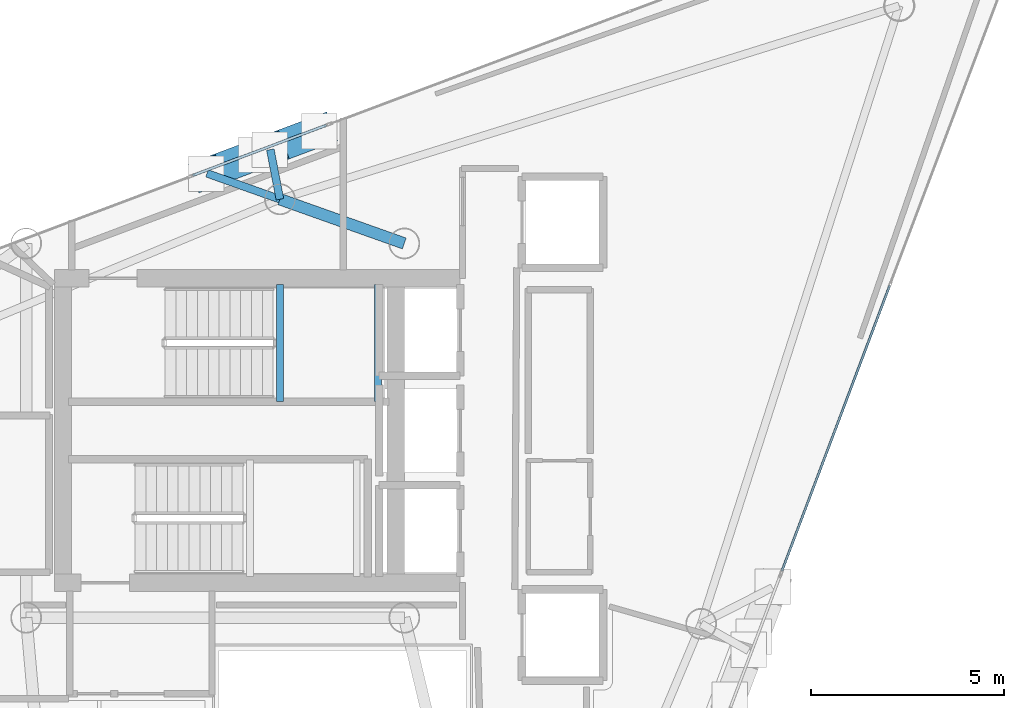
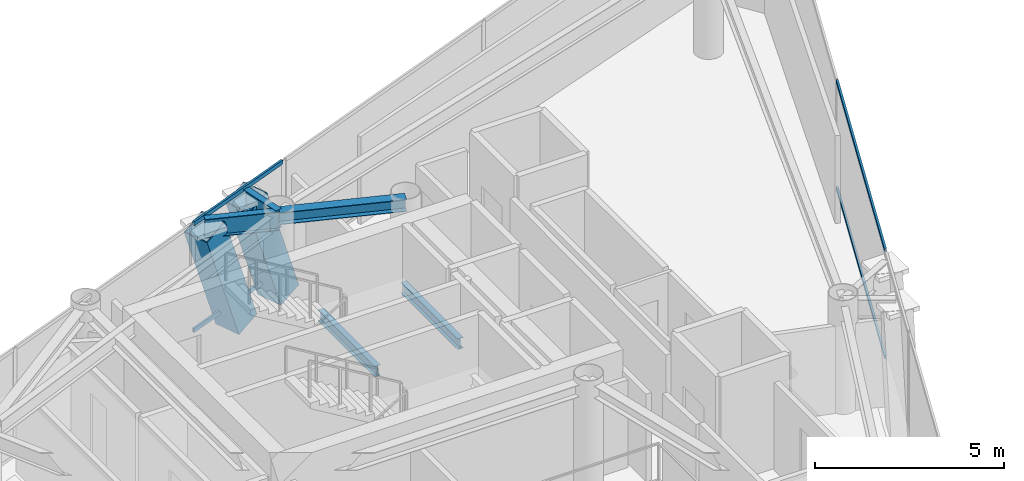
# One storey, part 11 of 19: 6 members, 5 beams, 2 elements without a shape of their own.
"""IFC4 building model written with IfcOpenShell, lengths in metres."""

from ifc_helpers import new_model, si_unit, direction, frame, origin, origin_2d, place, context, subcontext, project, spatial, hollow_rectangle, i_section, extrude, material, layer, layer_set, material_profile, profile_set, type_object, element, aggregate, save


model = new_model("IFC4")

# Units and contexts
model_context = context("Model", 3, precision=1e-05, world=origin(), true_north=direction((0.0, 1.0)))
body_context = subcontext(model_context, "Body", "Model", "MODEL_VIEW")
ifc_project = project(units=[si_unit("LENGTHUNIT", "METRE"), si_unit("AREAUNIT", "SQUARE_METRE"), si_unit("VOLUMEUNIT", "CUBIC_METRE"), si_unit("PLANEANGLEUNIT", "RADIAN"), si_unit("MASSUNIT", "GRAM", prefix="KILO")], contexts=[model_context])

# Site, building, storey
site_placement = place(None, origin())
site = spatial("IfcSite", under=ifc_project, at=site_placement, CompositionType="ELEMENT")
building_placement = place(site_placement, origin())
building = spatial("IfcBuilding", under=site, at=building_placement, Name="Qianvela Tower", CompositionType="ELEMENT")
storey_placement = place(building_placement, frame((0.0, 0.0, 340.699951171875)))
storey = spatial("IfcBuildingStorey", under=building, at=storey_placement, Name="L88", CompositionType="ELEMENT", Elevation=340.699951171875)

# Beams
ifc_material_1 = material(Name="Steel Q355B", Category="steel")
ifc_material_profile_1 = material_profile(ifc_material_1, i_section(OverallWidth=0.300048828125, OverallDepth=0.389892578125, WebThickness=0.010009765625, FlangeThickness=0.01611328125, at=origin_2d()), Name="HM390x300x10x16")
ifc_profile_set_1 = profile_set([ifc_material_profile_1], Name="Steel Q355B")
beam_type_1 = type_object("IfcBeamType", Name="BM-HM390-COLL", PredefinedType="BEAM", material=ifc_profile_set_1)
beam_1_placement = place(storey_placement, frame((38.39990234375, 33.550048828125, 3.322998046875), z_axis=(-0.942297777183, 0.334775893871, 0.0), x_axis=(-0.334775893871, -0.942297777183, 0.0)))
element("IfcBeam", 1, at=beam_1_placement, inside=storey, type_object=beam_type_1, Name="L88 Radial Primary Floor Girder 2", PredefinedType="BEAM", context=body_context, shape_type="SweptSolid", body=[
    extrude(i_section(OverallWidth=0.300048828125, OverallDepth=0.389892578125, WebThickness=0.010009765625, FlangeThickness=0.01611328125, at=origin_2d()), origin(), (0.0, 0.0, 1.0), 3.420166015625),
])
ifc_material_2 = material(Name="Steel Q355B", Category="steel")
ifc_material_profile_2 = material_profile(ifc_material_2, i_section(OverallWidth=0.175048828125, OverallDepth=0.35009765625, WebThickness=0.007080078125, FlangeThickness=0.010986328125, at=origin_2d()), Name="HN350x175x7x11")
ifc_profile_set_2 = profile_set([ifc_material_profile_2], Name="Steel Q355B")
beam_type_2 = type_object("IfcBeamType", Name="BM-HN350-JOIST", PredefinedType="JOIST", material=ifc_profile_set_2)
for number, where, z_axis, x_axis, name in (
    (2, (35.179931640625, 29.4599609375, 1.47509765625), (0.0, 1.0, 0.0), (-1.0, 0.0, 0.0), "L88 Stair ST-1 Landing Support Beam 1.1"),
    (3, (37.719970703125, 29.4599609375, 1.47509765625), (0.0, 1.0, 0.0), (-1.0, 0.0, 0.0), "L88 Stair ST-1 Landing Support Beam 1.2"),
):
    element("IfcBeam", number, at=place(storey_placement, frame(where, z_axis=z_axis, x_axis=x_axis)), inside=storey, type_object=beam_type_2, Name=name, PredefinedType="JOIST", context=body_context, shape_type="SweptSolid", body=[
        extrude(i_section(OverallWidth=0.175048828125, OverallDepth=0.35009765625, WebThickness=0.007080078125, FlangeThickness=0.010986328125, at=origin_2d()), origin(), (0.0, 0.0, 1.0), 3.02001953125),
    ])
ifc_material_3 = material(Name="Steel Q355B", Category="steel")
ifc_material_profile_3 = material_profile(ifc_material_3, i_section(OverallWidth=0.199951171875, OverallDepth=0.60009765625, WebThickness=0.010986328125, FlangeThickness=0.01708984375, at=origin_2d()), Name="HN600x200x11x17")
ifc_profile_set_3 = profile_set([ifc_material_profile_3], Name="Steel Q355B")
beam_type_3 = type_object("IfcBeamType", Name="BM-HN600-GIRD", PredefinedType="BEAM", material=ifc_profile_set_3)
beam_2_placement = place(storey_placement, frame((35.177001953125, 34.695068359375, 3.218017578125), z_axis=(-0.190137599994, 0.981757451242, 0.0), x_axis=(-0.981757451242, -0.190137599994, 0.0)))
element("IfcBeam", 4, at=beam_2_placement, inside=storey, type_object=beam_type_3, Name="L88 Mega-Brace Column Tie Bracket F1-1", PredefinedType="BEAM", context=body_context, shape_type="SweptSolid", body=[
    extrude(i_section(OverallWidth=0.199951171875, OverallDepth=0.60009765625, WebThickness=0.010986328125, FlangeThickness=0.01708984375, at=origin_2d()), origin(), (0.0, 0.0, 1.0), 1.312255859375),
])
beam_3_placement = place(storey_placement, frame((35.177001953125, 34.695068359375, 3.218017578125), z_axis=(-0.942266762533, 0.334863178366, 0.0), x_axis=(-0.334863178366, -0.942266762533, 0.0)))
element("IfcBeam", 5, at=beam_3_placement, inside=storey, type_object=beam_type_3, Name="L88 Mega-Brace Column Tie Bracket F1-2", PredefinedType="BEAM", context=body_context, shape_type="SweptSolid", body=[
    extrude(i_section(OverallWidth=0.199951171875, OverallDepth=0.60009765625, WebThickness=0.010986328125, FlangeThickness=0.01708984375, at=origin_2d()), origin(), (0.0, 0.0, 1.0), 2.005615234375),
])

# Curtain wall, members
ifc_material_4 = material(Name="Anodised Architectural Aluminium and Insulated Spandrel Panel", Category="aluminium")
ifc_layer_1 = layer(ifc_material_4, 0.179931640625)
ifc_layer_set_1 = layer_set([ifc_layer_1], Name="Anodised Architectural Aluminium and Insulated Spandrel Panel")
curtain_wall_type_1 = type_object("IfcCurtainWallType", Name="CW-BRACEBAY", PredefinedType="USERDEFINED", material=ifc_layer_set_1)
curtain_wall_1_placement = place(storey_placement, origin())
curtain_wall_1 = element("IfcCurtainWall", 6, at=curtain_wall_1_placement, inside=storey, type_object=curtain_wall_type_1, Name="L88 CW-BRACEBAY Curtain Wall 02B", ObjectType="CURTAIN_WALL_SYSTEM", PredefinedType="USERDEFINED")
ifc_material_5 = material(Name="Anodised Architectural Aluminium 6063-T6", Category="aluminium")
ifc_material_profile_4 = material_profile(ifc_material_5, hollow_rectangle(XDim=0.06494140625, YDim=0.1298828125, WallThickness=0.00439453125, at=origin_2d()), Name="ALU-TRAN-65x130")
ifc_profile_set_4 = profile_set([ifc_material_profile_4], Name="Anodised Architectural Aluminium 6063-T6")
member_type_1 = type_object("IfcMemberType", Name="CW-BRACEBAY-TRAN", PredefinedType="USERDEFINED", material=ifc_profile_set_4)
member_1_placement = place(storey_placement, frame((36.378173828125, 36.614501953125, 0.032470703125), z_axis=(-0.936011520128, -0.351969365411, 0.0), x_axis=(0.351969365411, -0.936011520128, 0.0)))
member_1 = element("IfcMember", 7, at=member_1_placement, type_object=member_type_1, Name="CW-9 transom 1.1", ObjectType="TRANSOM", PredefinedType="USERDEFINED", context=body_context, shape_type="SweptSolid", body=[
    extrude(hollow_rectangle(XDim=0.06494140625, YDim=0.1298828125, WallThickness=0.00439453125, at=origin_2d()), origin(), (0.0, 0.0, 1.0), 3.699951171875),
])
member_2_placement = place(storey_placement, frame((36.378173828125, 36.614501953125, 3.487548828125), z_axis=(-0.936011520128, -0.351969365411, 0.0), x_axis=(0.351969365411, -0.936011520128, 0.0)))
member_2 = element("IfcMember", 8, at=member_2_placement, type_object=member_type_1, Name="CW-9 transom 1.2", ObjectType="TRANSOM", PredefinedType="USERDEFINED", context=body_context, shape_type="SweptSolid", body=[
    extrude(hollow_rectangle(XDim=0.06494140625, YDim=0.1298828125, WallThickness=0.00439453125, at=origin_2d()), origin(), (0.0, 0.0, 1.0), 3.699951171875),
])
aggregate(curtain_wall_1, [member_1, member_2])

ifc_material_6 = material(Name="Anodised Architectural Aluminium and Low-E Glass", Category="aluminium")
ifc_layer_2 = layer(ifc_material_6, 0.14990234375)
ifc_layer_set_2 = layer_set([ifc_layer_2], Name="Anodised Architectural Aluminium and Low-E Glass")
curtain_wall_type_2 = type_object("IfcCurtainWallType", Name="CW-COLIV-Z78", PredefinedType="USERDEFINED", material=ifc_layer_set_2)
curtain_wall_2_placement = place(storey_placement, origin())
curtain_wall_2 = element("IfcCurtainWall", 9, at=curtain_wall_2_placement, inside=storey, type_object=curtain_wall_type_2, Name="L88 CW-COLIV-Z78 Curtain Wall 06C", ObjectType="CURTAIN_WALL_SYSTEM", PredefinedType="USERDEFINED")
ifc_material_7 = material(Name="Anodised Architectural Aluminium 6063-T6", Category="aluminium")
ifc_material_profile_5 = material_profile(ifc_material_7, hollow_rectangle(XDim=0.06005859375, YDim=0.114990234375, WallThickness=0.00390625, at=origin_2d()), Name="ALU-TRAN-60x115")
ifc_profile_set_5 = profile_set([ifc_material_profile_5], Name="Anodised Architectural Aluminium 6063-T6")
member_type_2 = type_object("IfcMemberType", Name="CW-COLIV-Z78-TRAN", PredefinedType="USERDEFINED", material=ifc_profile_set_5)
member_3_placement = place(storey_placement, frame((48.188232421875, 25.0634765625, 0.030029296875), z_axis=(0.353284110697, 0.935516080636, 0.0), x_axis=(-0.935516080636, 0.353284110697, 0.0)))
member_3 = element("IfcMember", 10, at=member_3_placement, type_object=member_type_2, Name="CW-6 transom 1.1", ObjectType="TRANSOM", PredefinedType="USERDEFINED", context=body_context, shape_type="SweptSolid", body=[
    extrude(hollow_rectangle(XDim=0.06005859375, YDim=0.114990234375, WallThickness=0.00390625, at=origin_2d()), origin(), (0.0, 0.0, 1.0), 7.9091796875),
])
member_4_placement = place(storey_placement, frame((48.188232421875, 25.0634765625, 3.489990234375), z_axis=(0.353284110697, 0.935516080636, 0.0), x_axis=(-0.935516080636, 0.353284110697, 0.0)))
member_4 = element("IfcMember", 11, at=member_4_placement, type_object=member_type_2, Name="CW-6 transom 1.2", ObjectType="TRANSOM", PredefinedType="USERDEFINED", context=body_context, shape_type="SweptSolid", body=[
    extrude(hollow_rectangle(XDim=0.06005859375, YDim=0.114990234375, WallThickness=0.00390625, at=origin_2d()), origin(), (0.0, 0.0, 1.0), 7.9091796875),
])
aggregate(curtain_wall_2, [member_3, member_4])

# Members
ifc_material_8 = material(Name="Steel Q420GJC", Category="steel")
ifc_material_profile_6 = material_profile(ifc_material_8, hollow_rectangle(XDim=0.800048828125, YDim=0.800048828125, WallThickness=0.028076171875, at=origin_2d()), Name="MBOX-800x800x28")
ifc_profile_set_6 = profile_set([ifc_material_profile_6], Name="Steel Q420GJC")
member_type_3 = type_object("IfcMemberType", Name="MBR-MBRACE-800", PredefinedType="BRACE", material=ifc_profile_set_6)
for number, where, z_axis, x_axis, name in (
    (12, (36.1767578125, 36.453125, -0.48193359375), (-0.317612042664, -0.119422624601, 0.940670413635), (0.351945210089, -0.936020602923, 0.0), "L88 Tier 14 Exterior Mega-Brace F1A"),
    (13, (34.53662109375, 35.83642578125, -0.48193359375), (-0.317667849527, -0.119420270123, 0.940651867835), (0.351884959491, -0.936043255028, 0.0), "L88 Tier 14 Exterior Mega-Brace F1B"),
):
    element("IfcMember", number, at=place(storey_placement, frame(where, z_axis=z_axis, x_axis=x_axis)), inside=storey, type_object=member_type_3, Name=name, PredefinedType="BRACE", context=body_context, shape_type="SweptSolid", body=[
        extrude(hollow_rectangle(XDim=0.800048828125, YDim=0.800048828125, WallThickness=0.028076171875, at=origin_2d()), origin(), (0.0, 0.0, 1.0), 3.933349609375),
    ])

save(model, "model.ifc")
